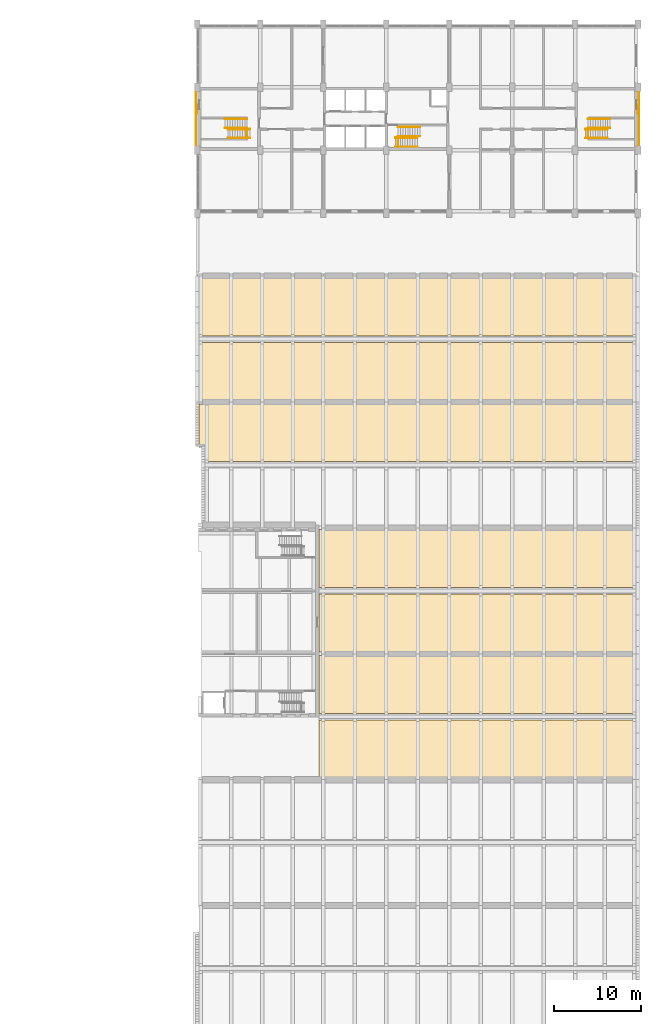
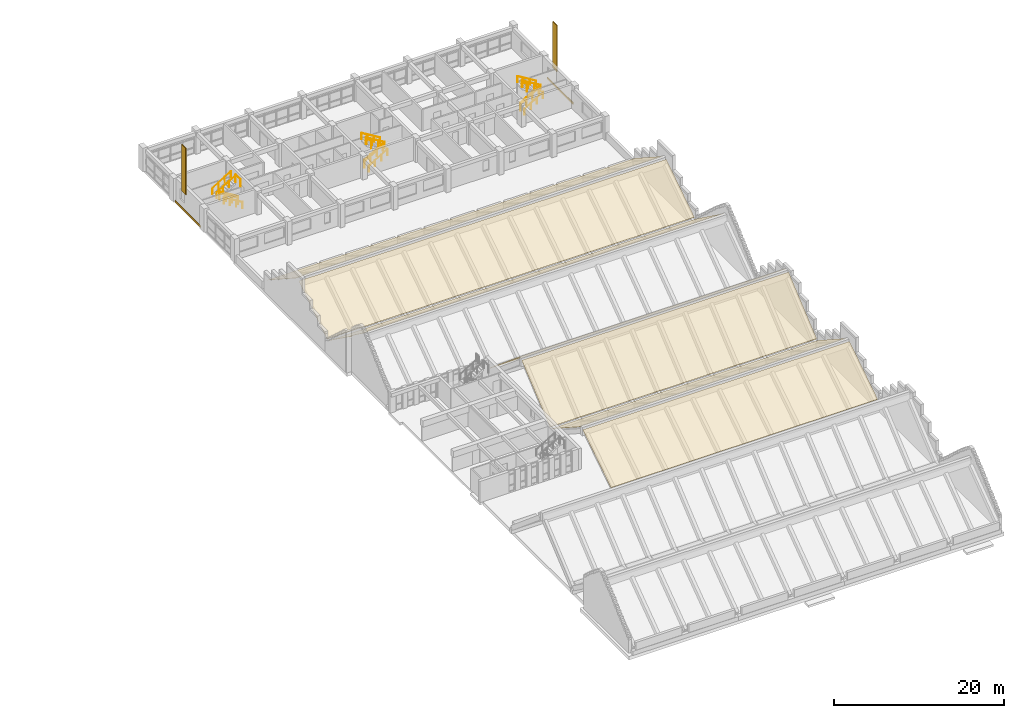
# One storey, part 31 of 31: 18 railings, 11 coverings.
"""IFC4 building model written with IfcOpenShell, lengths in metres."""

from ifc_helpers import new_model, si_unit, direction, frame, origin, origin_2d, place, context, subcontext, project, spatial, polyline, circle, outline, extrude, material, layer, layer_set, type_object, element, save


model = new_model("IFC4")

# Units and contexts
model_context = context("Model", 3, precision=1e-05, world=origin(), true_north=direction((0.0, 1.0)))
body_context = subcontext(model_context, "Body", "Model", "MODEL_VIEW")
ifc_project = project(units=[si_unit("LENGTHUNIT", "METRE"), si_unit("AREAUNIT", "SQUARE_METRE"), si_unit("VOLUMEUNIT", "CUBIC_METRE"), si_unit("PLANEANGLEUNIT", "RADIAN"), si_unit("MASSUNIT", "GRAM", prefix="KILO")], contexts=[model_context])

# Site, building, storey
site_placement = place(None, origin())
site = spatial("IfcSite", under=ifc_project, at=site_placement, CompositionType="ELEMENT")
building_placement = place(site_placement, origin())
building = spatial("IfcBuilding", under=site, at=building_placement, Name="Vermilion Court Aquatics Centre", CompositionType="ELEMENT")
storey_placement = place(building_placement, frame((0.0, 0.0, 16.5)))
storey = spatial("IfcBuildingStorey", under=building, at=storey_placement, Name="L03", CompositionType="ELEMENT", Elevation=16.5)

# Coverings
ifc_material_1 = material(Name="Brick masonry", Category="masonry")
ifc_layer_1 = layer(ifc_material_1, 0.06005859375)
ifc_layer_set_1 = layer_set([ifc_layer_1], Name="North block band course 60")
covering_type_1 = type_object("IfcCoveringType", Name="North block band course 60", PredefinedType="CLADDING", material=ifc_layer_set_1)
covering_1_placement = place(storey_placement, origin())
element("IfcCovering", 1, at=covering_1_placement, inside=storey, type_object=covering_type_1, Name="North block band course west end L03", PredefinedType="CLADDING", context=body_context, shape_type="SweptSolid", body=[
    extrude(outline(polyline([(143.837890625, 101.35009765625), (143.89794921875, 101.35009765625), (143.89794921875, 107.449951171875), (143.837890625, 107.449951171875), (143.837890625, 101.35009765625)])), origin(), (0.0, 0.0, 1.0), 0.300048828125),
])
covering_2_placement = place(storey_placement, origin())
element("IfcCovering", 2, at=covering_2_placement, inside=storey, type_object=covering_type_1, Name="North block band course east end L03", PredefinedType="CLADDING", context=body_context, shape_type="SweptSolid", body=[
    extrude(outline(polyline([(194.501953125, 101.35009765625), (194.56201171875, 101.35009765625), (194.56201171875, 107.449951171875), (194.501953125, 107.449951171875), (194.501953125, 101.35009765625)])), origin(), (0.0, 0.0, 1.0), 0.300048828125),
])
ifc_material_2 = material(Name="Brick masonry", Category="masonry")
ifc_layer_2 = layer(ifc_material_2, 0.10205078125)
ifc_layer_set_2 = layer_set([ifc_layer_2], Name="North block brick facing 102")
covering_type_2 = type_object("IfcCoveringType", Name="North block brick facing 102", PredefinedType="CLADDING", material=ifc_layer_set_2)
covering_3_placement = place(storey_placement, frame((0.0, 0.0, 2.5)))
element("IfcCovering", 3, at=covering_3_placement, inside=storey, type_object=covering_type_2, Name="North block brick facing west end 7", PredefinedType="CLADDING", context=body_context, shape_type="SweptSolid", body=[
    extrude(outline(polyline([(143.89794921875, 105.0), (144.0, 105.0), (144.0, 106.0), (143.89794921875, 106.0), (143.89794921875, 105.0)])), origin(), (0.0, 0.0, 1.0), 6.699951171875),
])
covering_4_placement = place(storey_placement, frame((0.0, 0.0, 2.5)))
element("IfcCovering", 4, at=covering_4_placement, inside=storey, type_object=covering_type_2, Name="North block brick facing east end 13", PredefinedType="CLADDING", context=body_context, shape_type="SweptSolid", body=[
    extrude(outline(polyline([(194.39990234375, 105.0), (194.501953125, 105.0), (194.501953125, 106.0), (194.39990234375, 106.0), (194.39990234375, 105.0)])), origin(), (0.0, 0.0, 1.0), 6.699951171875),
])

# Railings
ifc_material_3 = material(Name="Steel ASTM A992 Grade 50", Category="steel")
railing_type_1 = type_object("IfcRailingType", Name="North block stair guard 1100", PredefinedType="GUARDRAIL", material=ifc_material_3)
railing_1_placement = place(storey_placement, frame((150.0, 103.235107421875, 0.169921875)))
element("IfcRailing", 5, at=railing_1_placement, inside=storey, type_object=railing_type_1, Name="Stair 1 guard well L03", PredefinedType="GUARDRAIL", context=body_context, shape_type="SweptSolid", body=[
    extrude(circle(Radius=0.02392578125, at=origin_2d()), frame((0.0, 0.0, 1.076171875), z_axis=(-0.85478489116, 0.0, 0.518982456201), x_axis=(0.0, -1.0, 0.0)), (0.0, 0.0, 1.0), 2.9482421875),
    extrude(circle(Radius=0.02099609375, at=origin_2d()), origin(), (0.0, 0.0, 1.0), 1.052001953125),
    extrude(circle(Radius=0.02099609375, at=origin_2d()), frame((-0.840087890625, 0.0, 0.510009765625)), (0.0, 0.0, 1.0), 1.052001953125),
    extrude(circle(Radius=0.02099609375, at=origin_2d()), frame((-1.679931640625, 0.0, 1.02001953125)), (0.0, 0.0, 1.0), 1.052001953125),
    extrude(circle(Radius=0.02099609375, at=origin_2d()), frame((-2.52001953125, 0.0, 1.530029296875)), (0.0, 0.0, 1.0), 1.052001953125),
])
railing_2_placement = place(storey_placement, frame((149.699951171875, 103.22998046875, 3.39990234375)))
element("IfcRailing", 6, at=railing_2_placement, inside=storey, type_object=railing_type_1, Name="Stair 1 floor edge guard L03", PredefinedType="GUARDRAIL", context=body_context, shape_type="SweptSolid", body=[
    extrude(circle(Radius=0.02392578125, at=origin_2d()), frame((0.0, 0.0, 1.076171875), z_axis=(0.0, -1.0, 0.0), x_axis=(1.0, 0.0, 0.0)), (0.0, 0.0, 1.0), 1.070068359375),
    extrude(circle(Radius=0.02099609375, at=origin_2d()), origin(), (0.0, 0.0, 1.0), 1.052001953125),
    extrude(circle(Radius=0.02099609375, at=origin_2d()), frame((0.0, -1.070068359375, 0.0)), (0.0, 0.0, 1.0), 1.052001953125),
])
railing_3_placement = place(storey_placement, frame((188.39990234375, 103.235107421875, 0.169921875)))
element("IfcRailing", 7, at=railing_3_placement, inside=storey, type_object=railing_type_1, Name="Stair 2 guard well L03", PredefinedType="GUARDRAIL", context=body_context, shape_type="SweptSolid", body=[
    extrude(circle(Radius=0.02392578125, at=origin_2d()), frame((0.0, 0.0, 1.076171875), z_axis=(0.85478489116, 0.0, 0.518982456201), x_axis=(0.0, 1.0, 0.0)), (0.0, 0.0, 1.0), 2.9482421875),
    extrude(circle(Radius=0.02099609375, at=origin_2d()), origin(), (0.0, 0.0, 1.0), 1.052001953125),
    extrude(circle(Radius=0.02099609375, at=origin_2d()), frame((0.840087890625, 0.0, 0.510009765625)), (0.0, 0.0, 1.0), 1.052001953125),
    extrude(circle(Radius=0.02099609375, at=origin_2d()), frame((1.679931640625, 0.0, 1.02001953125)), (0.0, 0.0, 1.0), 1.052001953125),
    extrude(circle(Radius=0.02099609375, at=origin_2d()), frame((2.52001953125, 0.0, 1.530029296875)), (0.0, 0.0, 1.0), 1.052001953125),
])
railing_4_placement = place(storey_placement, frame((188.699951171875, 103.22998046875, 3.39990234375)))
element("IfcRailing", 8, at=railing_4_placement, inside=storey, type_object=railing_type_1, Name="Stair 2 floor edge guard L03", PredefinedType="GUARDRAIL", context=body_context, shape_type="SweptSolid", body=[
    extrude(circle(Radius=0.02392578125, at=origin_2d()), frame((0.0, 0.0, 1.076171875), z_axis=(0.0, -1.0, 0.0), x_axis=(1.0, 0.0, 0.0)), (0.0, 0.0, 1.0), 1.070068359375),
    extrude(circle(Radius=0.02099609375, at=origin_2d()), origin(), (0.0, 0.0, 1.0), 1.052001953125),
    extrude(circle(Radius=0.02099609375, at=origin_2d()), frame((0.0, -1.070068359375, 0.0)), (0.0, 0.0, 1.0), 1.052001953125),
])
railing_5_placement = place(storey_placement, frame((166.64990234375, 102.27490234375, 0.169921875)))
element("IfcRailing", 9, at=railing_5_placement, inside=storey, type_object=railing_type_1, Name="Stair 3 guard well L03", PredefinedType="GUARDRAIL", context=body_context, shape_type="SweptSolid", body=[
    extrude(circle(Radius=0.02392578125, at=origin_2d()), frame((0.0, 0.0, 1.076171875), z_axis=(0.85478489116, 0.0, 0.518982456201), x_axis=(0.0, 1.0, 0.0)), (0.0, 0.0, 1.0), 2.9482421875),
    extrude(circle(Radius=0.02099609375, at=origin_2d()), origin(), (0.0, 0.0, 1.0), 1.052001953125),
    extrude(circle(Radius=0.02099609375, at=origin_2d()), frame((0.840087890625, 0.0, 0.510009765625)), (0.0, 0.0, 1.0), 1.052001953125),
    extrude(circle(Radius=0.02099609375, at=origin_2d()), frame((1.679931640625, 0.0, 1.02001953125)), (0.0, 0.0, 1.0), 1.052001953125),
    extrude(circle(Radius=0.02099609375, at=origin_2d()), frame((2.52001953125, 0.0, 1.530029296875)), (0.0, 0.0, 1.0), 1.052001953125),
])
railing_6_placement = place(storey_placement, frame((166.949951171875, 102.27001953125, 3.39990234375)))
element("IfcRailing", 10, at=railing_6_placement, inside=storey, type_object=railing_type_1, Name="Stair 3 floor edge guard L03", PredefinedType="GUARDRAIL", context=body_context, shape_type="SweptSolid", body=[
    extrude(circle(Radius=0.02392578125, at=origin_2d()), frame((0.0, 0.0, 1.076171875), z_axis=(0.0, -1.0, 0.0), x_axis=(1.0, 0.0, 0.0)), (0.0, 0.0, 1.0), 1.090087890625),
    extrude(circle(Radius=0.02099609375, at=origin_2d()), origin(), (0.0, 0.0, 1.0), 1.052001953125),
    extrude(circle(Radius=0.02099609375, at=origin_2d()), frame((0.0, -1.090087890625, 0.0)), (0.0, 0.0, 1.0), 1.052001953125),
])
ifc_material_4 = material(Name="Steel ASTM A992 Grade 50", Category="steel")
railing_type_2 = type_object("IfcRailingType", Name="North block stair handrail 900", PredefinedType="HANDRAIL", material=ifc_material_4)
for number, where, name in (
    (11, (150.0, 102.179931640625, 0.169921875), "Stair 1 handrail wall L03"),
    (12, (150.0, 103.18505859375, 0.169921875), "Stair 1 handrail well L03"),
):
    element("IfcRailing", number, at=place(storey_placement, frame(where)), inside=storey, type_object=railing_type_2, Name=name, PredefinedType="HANDRAIL", context=body_context, shape_type="SweptSolid", body=[
        extrude(circle(Radius=0.02392578125, at=origin_2d()), frame((0.0, 0.0, 0.8759765625), z_axis=(-0.85478489116, 0.0, 0.518982456201), x_axis=(0.0, -1.0, 0.0)), (0.0, 0.0, 1.0), 2.9482421875),
        extrude(circle(Radius=0.02099609375, at=origin_2d()), origin(), (0.0, 0.0, 1.0), 0.851806640625),
        extrude(circle(Radius=0.02099609375, at=origin_2d()), frame((-0.840087890625, 0.0, 0.510009765625)), (0.0, 0.0, 1.0), 0.851806640625),
        extrude(circle(Radius=0.02099609375, at=origin_2d()), frame((-1.679931640625, 0.0, 1.02001953125)), (0.0, 0.0, 1.0), 0.851806640625),
        extrude(circle(Radius=0.02099609375, at=origin_2d()), frame((-2.52001953125, 0.0, 1.530029296875)), (0.0, 0.0, 1.0), 0.851806640625),
    ])
for number, where, name in (
    (13, (147.179931640625, 104.3798828125, 1.8701171875), "Stair 1 handrail wall L03"),
    (14, (147.179931640625, 103.35009765625, 1.8701171875), "Stair 1 handrail well L03"),
):
    element("IfcRailing", number, at=place(storey_placement, frame(where)), inside=storey, type_object=railing_type_2, Name=name, PredefinedType="HANDRAIL", context=body_context, shape_type="SweptSolid", body=[
        extrude(circle(Radius=0.02392578125, at=origin_2d()), frame((0.0, 0.0, 0.8759765625), z_axis=(0.854821627497, 0.0, 0.518921945155), x_axis=(0.0, 1.0, 0.0)), (0.0, 0.0, 1.0), 2.947998046875),
        extrude(circle(Radius=0.02099609375, at=origin_2d()), origin(), (0.0, 0.0, 1.0), 0.851806640625),
        extrude(circle(Radius=0.02099609375, at=origin_2d()), frame((0.840087890625, 0.0, 0.510009765625)), (0.0, 0.0, 1.0), 0.851806640625),
        extrude(circle(Radius=0.02099609375, at=origin_2d()), frame((1.679931640625, 0.0, 1.019775390625)), (0.0, 0.0, 1.0), 0.851806640625),
        extrude(circle(Radius=0.02099609375, at=origin_2d()), frame((2.52001953125, 0.0, 1.52978515625)), (0.0, 0.0, 1.0), 0.851806640625),
    ])
for number, where, name in (
    (15, (188.39990234375, 102.179931640625, 0.169921875), "Stair 2 handrail wall L03"),
    (16, (188.39990234375, 103.18505859375, 0.169921875), "Stair 2 handrail well L03"),
):
    element("IfcRailing", number, at=place(storey_placement, frame(where)), inside=storey, type_object=railing_type_2, Name=name, PredefinedType="HANDRAIL", context=body_context, shape_type="SweptSolid", body=[
        extrude(circle(Radius=0.02392578125, at=origin_2d()), frame((0.0, 0.0, 0.8759765625), z_axis=(0.85478489116, 0.0, 0.518982456201), x_axis=(0.0, 1.0, 0.0)), (0.0, 0.0, 1.0), 2.9482421875),
        extrude(circle(Radius=0.02099609375, at=origin_2d()), origin(), (0.0, 0.0, 1.0), 0.851806640625),
        extrude(circle(Radius=0.02099609375, at=origin_2d()), frame((0.840087890625, 0.0, 0.510009765625)), (0.0, 0.0, 1.0), 0.851806640625),
        extrude(circle(Radius=0.02099609375, at=origin_2d()), frame((1.679931640625, 0.0, 1.02001953125)), (0.0, 0.0, 1.0), 0.851806640625),
        extrude(circle(Radius=0.02099609375, at=origin_2d()), frame((2.52001953125, 0.0, 1.530029296875)), (0.0, 0.0, 1.0), 0.851806640625),
    ])
for number, where, name in (
    (17, (191.219970703125, 104.3798828125, 1.8701171875), "Stair 2 handrail wall L03"),
    (18, (191.219970703125, 103.35009765625, 1.8701171875), "Stair 2 handrail well L03"),
):
    element("IfcRailing", number, at=place(storey_placement, frame(where)), inside=storey, type_object=railing_type_2, Name=name, PredefinedType="HANDRAIL", context=body_context, shape_type="SweptSolid", body=[
        extrude(circle(Radius=0.02392578125, at=origin_2d()), frame((0.0, 0.0, 0.8759765625), z_axis=(-0.854821627497, 0.0, 0.518921945155), x_axis=(0.0, -1.0, 0.0)), (0.0, 0.0, 1.0), 2.947998046875),
        extrude(circle(Radius=0.02099609375, at=origin_2d()), origin(), (0.0, 0.0, 1.0), 0.851806640625),
        extrude(circle(Radius=0.02099609375, at=origin_2d()), frame((-0.840087890625, 0.0, 0.510009765625)), (0.0, 0.0, 1.0), 0.851806640625),
        extrude(circle(Radius=0.02099609375, at=origin_2d()), frame((-1.679931640625, 0.0, 1.019775390625)), (0.0, 0.0, 1.0), 0.851806640625),
        extrude(circle(Radius=0.02099609375, at=origin_2d()), frame((-2.52001953125, 0.0, 1.52978515625)), (0.0, 0.0, 1.0), 0.851806640625),
    ])
for number, where, name in (
    (19, (166.64990234375, 101.199951171875, 0.169921875), "Stair 3 handrail wall L03"),
    (20, (166.64990234375, 102.22509765625, 0.169921875), "Stair 3 handrail well L03"),
):
    element("IfcRailing", number, at=place(storey_placement, frame(where)), inside=storey, type_object=railing_type_2, Name=name, PredefinedType="HANDRAIL", context=body_context, shape_type="SweptSolid", body=[
        extrude(circle(Radius=0.02392578125, at=origin_2d()), frame((0.0, 0.0, 0.8759765625), z_axis=(0.85478489116, 0.0, 0.518982456201), x_axis=(0.0, 1.0, 0.0)), (0.0, 0.0, 1.0), 2.9482421875),
        extrude(circle(Radius=0.02099609375, at=origin_2d()), origin(), (0.0, 0.0, 1.0), 0.851806640625),
        extrude(circle(Radius=0.02099609375, at=origin_2d()), frame((0.840087890625, 0.0, 0.510009765625)), (0.0, 0.0, 1.0), 0.851806640625),
        extrude(circle(Radius=0.02099609375, at=origin_2d()), frame((1.679931640625, 0.0, 1.02001953125)), (0.0, 0.0, 1.0), 0.851806640625),
        extrude(circle(Radius=0.02099609375, at=origin_2d()), frame((2.52001953125, 0.0, 1.530029296875)), (0.0, 0.0, 1.0), 0.851806640625),
    ])
for number, where, name in (
    (21, (169.469970703125, 103.449951171875, 1.8701171875), "Stair 3 handrail wall L03"),
    (22, (169.469970703125, 102.39990234375, 1.8701171875), "Stair 3 handrail well L03"),
):
    element("IfcRailing", number, at=place(storey_placement, frame(where)), inside=storey, type_object=railing_type_2, Name=name, PredefinedType="HANDRAIL", context=body_context, shape_type="SweptSolid", body=[
        extrude(circle(Radius=0.02392578125, at=origin_2d()), frame((0.0, 0.0, 0.8759765625), z_axis=(-0.854821627497, 0.0, 0.518921945155), x_axis=(0.0, -1.0, 0.0)), (0.0, 0.0, 1.0), 2.947998046875),
        extrude(circle(Radius=0.02099609375, at=origin_2d()), origin(), (0.0, 0.0, 1.0), 0.851806640625),
        extrude(circle(Radius=0.02099609375, at=origin_2d()), frame((-0.840087890625, 0.0, 0.510009765625)), (0.0, 0.0, 1.0), 0.851806640625),
        extrude(circle(Radius=0.02099609375, at=origin_2d()), frame((-1.679931640625, 0.0, 1.019775390625)), (0.0, 0.0, 1.0), 0.851806640625),
        extrude(circle(Radius=0.02099609375, at=origin_2d()), frame((-2.52001953125, 0.0, 1.52978515625)), (0.0, 0.0, 1.0), 0.851806640625),
    ])

# Coverings
ifc_material_5 = material(Name="Terracotta cladding", Category="masonry")
ifc_layer_3 = layer(ifc_material_5, 0.0400390625)
ifc_layer_set_3 = layer_set([ifc_layer_3], Name="Range roof tile covering 40")
covering_type_3 = type_object("IfcCoveringType", Name="Range roof tile covering 40", PredefinedType="ROOFING", material=ifc_layer_set_3)
covering_5_placement = place(storey_placement, frame((157.89990234375, 29.013916015625, 1.58740234375), z_axis=(0.0, -0.544653720189, 0.838661031099), x_axis=(1.0, 0.0, 0.0)))
element("IfcCovering", 23, at=covering_5_placement, inside=storey, type_object=covering_type_3, Name="Range roof tile covering", PredefinedType="ROOFING", context=body_context, shape_type="SweptSolid", body=[
    extrude(outline(polyline([(0.0, 0.0), (36.300048828125, 0.0), (36.300048828125, 7.899496643261027), (0.0, 7.899496643261027), (0.0, 0.0)])), origin(), (0.0, -0.544653720189, -0.838661031099), 0.047607421875),
])
covering_6_placement = place(storey_placement, frame((157.89990234375, 42.986083984375, 1.58740234375), z_axis=(0.0, 0.544653720189, 0.838661031099), x_axis=(1.0, 0.0, 0.0)))
element("IfcCovering", 24, at=covering_6_placement, inside=storey, type_object=covering_type_3, Name="Range roof tile covering", PredefinedType="ROOFING", context=body_context, shape_type="SweptSolid", body=[
    extrude(outline(polyline([(0.0, 0.0), (36.300048828125, 0.0), (36.300048828125, -7.899496643261027), (0.0, -7.899496643261027), (0.0, 0.0)])), origin(), (0.0, 0.544653720189, -0.838661031099), 0.047607421875),
])
covering_7_placement = place(storey_placement, frame((157.89990234375, 43.389404296875, 1.5966796875), z_axis=(0.0, -0.642774230878, 0.766055669073), x_axis=(1.0, 0.0, 0.0)))
element("IfcCovering", 25, at=covering_7_placement, inside=storey, type_object=covering_type_3, Name="Range roof tile covering", PredefinedType="ROOFING", context=body_context, shape_type="SweptSolid", body=[
    extrude(outline(polyline([(0.0, 0.0), (36.300048828125, 0.0), (36.300048828125, 8.64819655733195), (0.0, 8.64819655733195), (0.0, 0.0)])), origin(), (0.0, -0.642774230878, -0.766055669073), 0.05224609375),
])
covering_8_placement = place(storey_placement, frame((157.89990234375, 57.41064453125, 1.5966796875), z_axis=(0.0, 0.642774230878, 0.766055669073), x_axis=(1.0, 0.0, 0.0)))
element("IfcCovering", 26, at=covering_8_placement, inside=storey, type_object=covering_type_3, Name="Range roof tile covering", PredefinedType="ROOFING", context=body_context, shape_type="SweptSolid", body=[
    extrude(outline(polyline([(0.0, 0.0), (36.300048828125, 0.0), (36.300048828125, -8.64819655733195), (0.0, -8.64819655733195), (0.0, 0.0)])), origin(), (0.0, 0.642774230878, -0.766055669073), 0.05224609375),
])
covering_9_placement = place(storey_placement, frame((194.199951171875, 65.171875, 6.404296875), z_axis=(-1.291449e-06, 0.587776135775, 0.809023617833), x_axis=(0.0, 0.809023617833, -0.587776135776)))
element("IfcCovering", 27, at=covering_9_placement, inside=storey, type_object=covering_type_3, Name="Range roof tile covering", PredefinedType="ROOFING", context=body_context, shape_type="SweptSolid", body=[
    extrude(outline(polyline([(0.0, 0.0), (8.188884621667679, 8.470329472543003e-22), (8.188884621681934, 49.9999999999583), (2.1360356038523243, 50.00000000012447), (2.1360356038521253, 49.300048828250056), (1.4056423485110461e-11, 49.30004882808388), (0.0, 0.0)])), origin(), (0.587776135776, 1.044813e-06, -0.809023617833), 0.04931640625),
])
covering_10_placement = place(storey_placement, frame((144.199951171875, 72.2138671875, 1.58740234375), z_axis=(0.0, -0.544653720189, 0.838661031099), x_axis=(1.0, 0.0, 0.0)))
element("IfcCovering", 28, at=covering_10_placement, inside=storey, type_object=covering_type_3, Name="Range roof tile covering", PredefinedType="ROOFING", context=body_context, shape_type="SweptSolid", body=[
    extrude(outline(polyline([(0.0, 0.0), (50.0, 0.0), (50.0, 7.899496643261028), (0.0, 7.899496643261028), (0.0, 0.0)])), origin(), (0.0, -0.544653720189, -0.838661031099), 0.047607421875),
])
covering_11_placement = place(storey_placement, frame((144.199951171875, 86.186279296875, 1.58740234375), z_axis=(0.0, 0.544653720189, 0.838661031099), x_axis=(1.0, 0.0, 0.0)))
element("IfcCovering", 29, at=covering_11_placement, inside=storey, type_object=covering_type_3, Name="Range roof tile covering", PredefinedType="ROOFING", context=body_context, shape_type="SweptSolid", body=[
    extrude(outline(polyline([(0.0, 0.0), (50.0, 0.0), (50.0, -7.899496643261028), (0.0, -7.899496643261028), (0.0, 0.0)])), origin(), (0.0, 0.544653720189, -0.838661031099), 0.047607421875),
])

save(model, "model.ifc")
